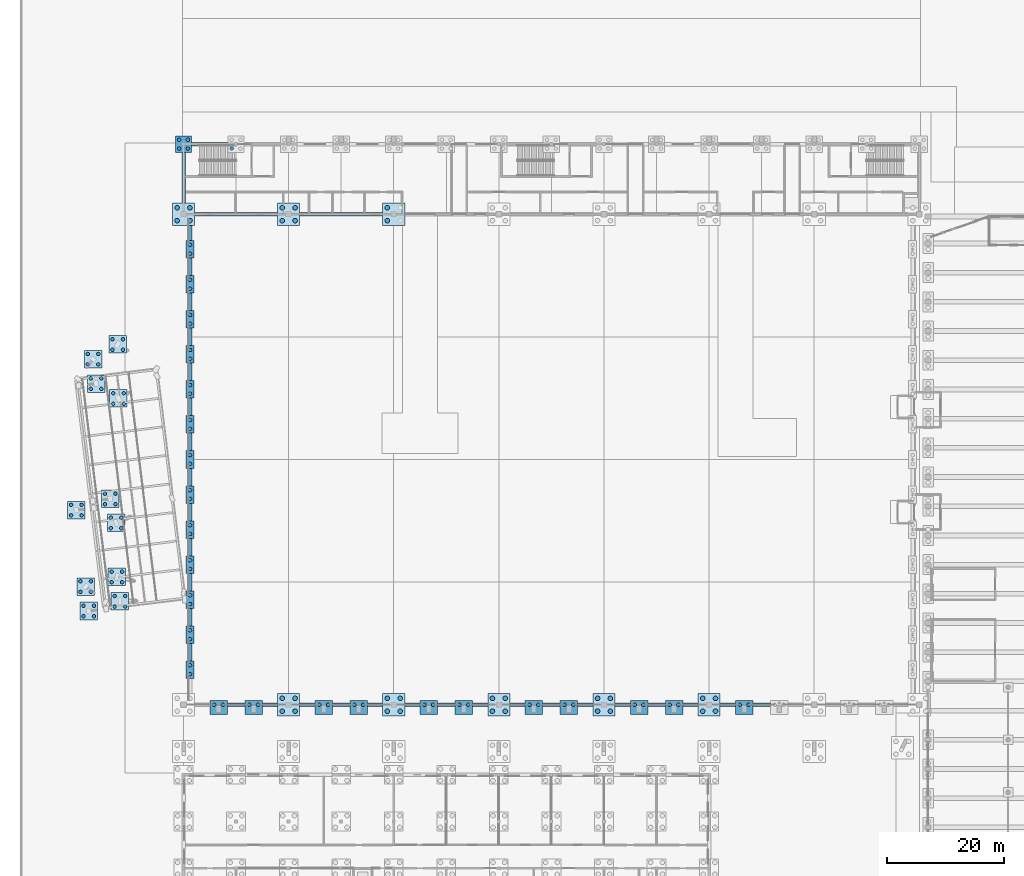
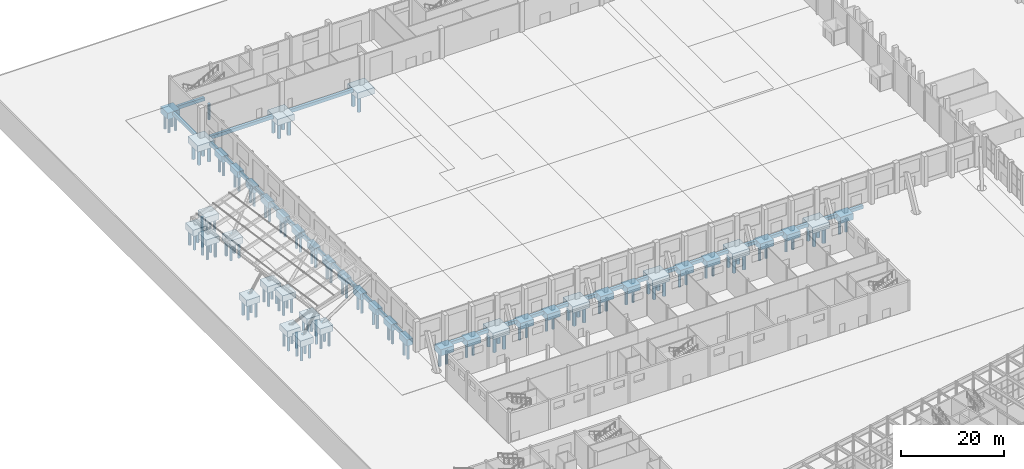
# One storey, part 6 of 239: 127 piles, 77 footings.
"""IFC4 building model written with IfcOpenShell, lengths in metres."""

from ifc_helpers import new_model, si_unit, direction, frame, origin, origin_2d, place, context, subcontext, project, spatial, rectangle, circle, extrude, material, material_profile, profile_set, type_object, element, save


model = new_model("IFC4")

# Units and contexts
model_context = context("Model", 3, precision=1e-05, world=origin(), true_north=direction((0.0, 1.0)))
body_context = subcontext(model_context, "Body", "Model", "MODEL_VIEW")
ifc_project = project(units=[si_unit("LENGTHUNIT", "METRE"), si_unit("AREAUNIT", "SQUARE_METRE"), si_unit("VOLUMEUNIT", "CUBIC_METRE"), si_unit("PLANEANGLEUNIT", "RADIAN"), si_unit("MASSUNIT", "GRAM", prefix="KILO")], contexts=[model_context])

# Site, building, storey
site_placement = place(None, origin())
site = spatial("IfcSite", under=ifc_project, at=site_placement, CompositionType="ELEMENT")
building_placement = place(site_placement, origin())
building = spatial("IfcBuilding", under=site, at=building_placement, Name="Okhra Congress Centre", CompositionType="ELEMENT")
storey_placement = place(building_placement, origin())
storey = spatial("IfcBuildingStorey", under=building, at=storey_placement, Name="L00", CompositionType="ELEMENT", Elevation=0.0)

# Piles
ifc_material_1 = material(Name="Concrete C30/37", Category="concrete")
ifc_material_profile_1 = material_profile(ifc_material_1, circle(Radius=0.300048828125, at=origin_2d()), Name="D600")
ifc_profile_set_1 = profile_set([ifc_material_profile_1], Name="Concrete C30/37")
pile_type_1 = type_object("IfcPileType", Name="Bored pile D600", PredefinedType="BORED", material=ifc_profile_set_1)
for number, where, z_axis, x_axis, name in (
    (1, (33.25, 132.0, -1.800048828125), (0.0, 0.0, -1.0), (1.0, 0.0, 0.0), "EH.PILE.L00.PP1.1"),
    (2, (34.75, 132.0, -1.800048828125), (0.0, 0.0, -1.0), (1.0, 0.0, 0.0), "EH.PILE.L00.PP1.2"),
    (3, (39.25, 132.0, -1.800048828125), (0.0, 0.0, -1.0), (1.0, 0.0, 0.0), "EH.PILE.L00.PP2.1"),
    (4, (40.75, 132.0, -1.800048828125), (0.0, 0.0, -1.0), (1.0, 0.0, 0.0), "EH.PILE.L00.PP2.2"),
    (5, (51.25, 132.0, -1.800048828125), (0.0, 0.0, -1.0), (1.0, 0.0, 0.0), "EH.PILE.L00.PP3.1"),
    (6, (52.75, 132.0, -1.800048828125), (0.0, 0.0, -1.0), (1.0, 0.0, 0.0), "EH.PILE.L00.PP3.2"),
    (7, (57.25, 132.0, -1.800048828125), (0.0, 0.0, -1.0), (1.0, 0.0, 0.0), "EH.PILE.L00.PP4.1"),
    (8, (58.75, 132.0, -1.800048828125), (0.0, 0.0, -1.0), (1.0, 0.0, 0.0), "EH.PILE.L00.PP4.2"),
    (9, (69.25, 132.0, -1.800048828125), (0.0, 0.0, -1.0), (1.0, 0.0, 0.0), "EH.PILE.L00.PP5.1"),
    (10, (70.75, 132.0, -1.800048828125), (0.0, 0.0, -1.0), (1.0, 0.0, 0.0), "EH.PILE.L00.PP5.2"),
    (11, (75.25, 132.0, -1.800048828125), (0.0, 0.0, -1.0), (1.0, 0.0, 0.0), "EH.PILE.L00.PP6.1"),
    (12, (76.75, 132.0, -1.800048828125), (0.0, 0.0, -1.0), (1.0, 0.0, 0.0), "EH.PILE.L00.PP6.2"),
    (13, (87.25, 132.0, -1.800048828125), (0.0, 0.0, -1.0), (1.0, 0.0, 0.0), "EH.PILE.L00.PP7.1"),
    (14, (88.75, 132.0, -1.800048828125), (0.0, 0.0, -1.0), (1.0, 0.0, 0.0), "EH.PILE.L00.PP7.2"),
    (15, (93.25, 132.0, -1.800048828125), (0.0, 0.0, -1.0), (1.0, 0.0, 0.0), "EH.PILE.L00.PP8.1"),
    (16, (94.75, 132.0, -1.800048828125), (0.0, 0.0, -1.0), (1.0, 0.0, 0.0), "EH.PILE.L00.PP8.2"),
    (17, (105.25, 132.0, -1.800048828125), (0.0, 0.0, -1.0), (1.0, 0.0, 0.0), "EH.PILE.L00.PP9.1"),
    (18, (106.75, 132.0, -1.800048828125), (0.0, 0.0, -1.0), (1.0, 0.0, 0.0), "EH.PILE.L00.PP9.2"),
    (19, (111.25, 132.0, -1.800048828125), (0.0, 0.0, -1.0), (1.0, 0.0, 0.0), "EH.PILE.L00.PP10.1"),
    (20, (112.75, 132.0, -1.800048828125), (0.0, 0.0, -1.0), (1.0, 0.0, 0.0), "EH.PILE.L00.PP10.2"),
    (21, (123.25, 132.0, -1.800048828125), (0.0, 0.0, -1.0), (1.0, 0.0, 0.0), "EH.PILE.L00.PP11.1"),
    (22, (124.75, 132.0, -1.800048828125), (0.0, 0.0, -1.0), (1.0, 0.0, 0.0), "EH.PILE.L00.PP11.2"),
    (23, (29.125, 137.25, -1.800048828125), (0.0, 0.0, -1.0), (1.0, 0.0, 0.0), "EH.PILE.L00.PP15.1"),
    (24, (29.125, 138.75, -1.800048828125), (0.0, 0.0, -1.0), (1.0, 0.0, 0.0), "EH.PILE.L00.PP15.2"),
    (25, (29.125, 143.25, -1.800048828125), (0.0, 0.0, -1.0), (1.0, 0.0, 0.0), "EH.PILE.L00.PP17.1"),
    (26, (29.125, 144.75, -1.800048828125), (0.0, 0.0, -1.0), (1.0, 0.0, 0.0), "EH.PILE.L00.PP17.2"),
    (27, (29.125, 149.25, -1.800048828125), (0.0, 0.0, -1.0), (1.0, 0.0, 0.0), "EH.PILE.L00.PP19.1"),
    (28, (29.125, 150.75, -1.800048828125), (0.0, 0.0, -1.0), (1.0, 0.0, 0.0), "EH.PILE.L00.PP19.2"),
    (29, (29.125, 155.25, -1.800048828125), (0.0, 0.0, -1.0), (1.0, 0.0, 0.0), "EH.PILE.L00.PP21.1"),
    (30, (29.125, 156.75, -1.800048828125), (0.0, 0.0, -1.0), (1.0, 0.0, 0.0), "EH.PILE.L00.PP21.2"),
    (31, (29.125, 161.25, -1.800048828125), (0.0, 0.0, -1.0), (1.0, 0.0, 0.0), "EH.PILE.L00.PP23.1"),
    (32, (29.125, 162.75, -1.800048828125), (0.0, 0.0, -1.0), (1.0, 0.0, 0.0), "EH.PILE.L00.PP23.2"),
    (33, (29.125, 167.25, -1.800048828125), (0.0, 0.0, -1.0), (1.0, 0.0, 0.0), "EH.PILE.L00.PP25.1"),
    (34, (29.125, 168.75, -1.800048828125), (0.0, 0.0, -1.0), (1.0, 0.0, 0.0), "EH.PILE.L00.PP25.2"),
    (35, (29.125, 173.25, -1.800048828125), (0.0, 0.0, -1.0), (1.0, 0.0, 0.0), "EH.PILE.L00.PP27.1"),
    (36, (29.125, 174.75, -1.800048828125), (0.0, 0.0, -1.0), (1.0, 0.0, 0.0), "EH.PILE.L00.PP27.2"),
    (37, (29.125, 179.25, -1.800048828125), (0.0, 0.0, -1.0), (1.0, 0.0, 0.0), "EH.PILE.L00.PP29.1"),
    (38, (29.125, 180.75, -1.800048828125), (0.0, 0.0, -1.0), (1.0, 0.0, 0.0), "EH.PILE.L00.PP29.2"),
    (39, (29.125, 185.25, -1.800048828125), (0.0, 0.0, -1.0), (1.0, 0.0, 0.0), "EH.PILE.L00.PP31.1"),
    (40, (29.125, 186.75, -1.800048828125), (0.0, 0.0, -1.0), (1.0, 0.0, 0.0), "EH.PILE.L00.PP31.2"),
    (41, (29.125, 191.25, -1.800048828125), (0.0, 0.0, -1.0), (1.0, 0.0, 0.0), "EH.PILE.L00.PP33.1"),
    (42, (29.125, 192.75, -1.800048828125), (0.0, 0.0, -1.0), (1.0, 0.0, 0.0), "EH.PILE.L00.PP33.2"),
    (43, (29.125, 197.25, -1.800048828125), (0.0, 0.0, -1.0), (1.0, 0.0, 0.0), "EH.PILE.L00.PP35.1"),
    (44, (29.125, 198.75, -1.800048828125), (0.0, 0.0, -1.0), (1.0, 0.0, 0.0), "EH.PILE.L00.PP35.2"),
    (45, (29.125, 203.25, -1.800048828125), (0.0, 0.0, -1.0), (1.0, 0.0, 0.0), "EH.PILE.L00.PP37.1"),
    (46, (29.125, 204.75, -1.800048828125), (0.0, 0.0, -1.0), (1.0, 0.0, 0.0), "EH.PILE.L00.PP37.2"),
    (47, (29.125, 209.25, -1.800048828125), (0.0, 0.0, -1.0), (1.0, 0.0, 0.0), "EH.PILE.L00.PP39.1"),
    (48, (29.125, 210.75, -1.800048828125), (0.0, 0.0, -1.0), (1.0, 0.0, 0.0), "EH.PILE.L00.PP39.2"),
    (49, (27.25, 227.25, -1.800048828125), (0.0, 0.0, -1.0), (1.0, 0.0, 0.0), "EH.PILE.L00.KC1.1"),
    (50, (28.75, 227.25, -1.800048828125), (0.0, 0.0, -1.0), (1.0, 0.0, 0.0), "EH.PILE.L00.KC1.2"),
    (51, (27.25, 228.75, -1.800048828125), (0.0, 0.0, -1.0), (1.0, 0.0, 0.0), "EH.PILE.L00.KC1.3"),
    (52, (28.75, 228.75, -1.800048828125), (0.0, 0.0, -1.0), (1.0, 0.0, 0.0), "EH.PILE.L00.KC1.4"),
    (53, (36.25, 227.25, -1.800048828125), (0.0, 0.0, -1.0), (1.0, 0.0, 0.0), "EH.PILE.L00.KC2.1"),
):
    element("IfcPile", number, at=place(storey_placement, frame(where, z_axis=z_axis, x_axis=x_axis)), inside=storey, type_object=pile_type_1, Name=name, PredefinedType="BORED", context=body_context, shape_type="SweptSolid", body=[
        extrude(circle(Radius=0.300048828125, at=origin_2d()), origin(), (0.0, 0.0, 1.0), 3.699951171875),
    ])
ifc_material_profile_2 = material_profile(ifc_material_1, circle(Radius=0.300048828125, at=origin_2d()), Name="D600")
ifc_profile_set_2 = profile_set([ifc_material_profile_2], Name="Concrete C30/37")
pile_type_2 = type_object("IfcPileType", Name="Bored pile D600 C30/37", PredefinedType="BORED", material=ifc_profile_set_2)
for number, where, z_axis, x_axis, name in (
    (54, (10.862548828125, 147.157958984375, -1.800048828125), (0.0, 0.0, -1.0), (1.0, 0.0, 0.0), "ST.PILE.L00.visor-1-1"),
    (55, (12.66259765625, 147.157958984375, -1.800048828125), (0.0, 0.0, -1.0), (1.0, 0.0, 0.0), "ST.PILE.L00.visor-1-2"),
    (56, (10.862548828125, 148.9580078125, -1.800048828125), (0.0, 0.0, -1.0), (1.0, 0.0, 0.0), "ST.PILE.L00.visor-1-3"),
    (57, (12.66259765625, 148.9580078125, -1.800048828125), (0.0, 0.0, -1.0), (1.0, 0.0, 0.0), "ST.PILE.L00.visor-1-4"),
    (58, (10.350830078125, 151.32666015625, -1.800048828125), (0.0, 0.0, -1.0), (1.0, 0.0, 0.0), "ST.PILE.L00.visor-2-1"),
    (59, (12.15087890625, 151.32666015625, -1.800048828125), (0.0, 0.0, -1.0), (1.0, 0.0, 0.0), "ST.PILE.L00.visor-2-2"),
    (60, (10.350830078125, 153.126708984375, -1.800048828125), (0.0, 0.0, -1.0), (1.0, 0.0, 0.0), "ST.PILE.L00.visor-2-3"),
    (61, (12.15087890625, 153.126708984375, -1.800048828125), (0.0, 0.0, -1.0), (1.0, 0.0, 0.0), "ST.PILE.L00.visor-2-4"),
    (62, (8.7421875, 164.42822265625, -1.800048828125), (0.0, 0.0, -1.0), (1.0, 0.0, 0.0), "ST.PILE.L00.visor-3-1"),
    (63, (10.542236328125, 164.42822265625, -1.800048828125), (0.0, 0.0, -1.0), (1.0, 0.0, 0.0), "ST.PILE.L00.visor-3-2"),
    (64, (8.7421875, 166.228271484375, -1.800048828125), (0.0, 0.0, -1.0), (1.0, 0.0, 0.0), "ST.PILE.L00.visor-3-3"),
    (65, (10.542236328125, 166.228271484375, -1.800048828125), (0.0, 0.0, -1.0), (1.0, 0.0, 0.0), "ST.PILE.L00.visor-3-4"),
    (66, (14.55126953125, 166.3505859375, -1.800048828125), (0.0, 0.0, -1.0), (1.0, 0.0, 0.0), "ST.PILE.L00.visor-4-1"),
    (67, (16.35107421875, 166.3505859375, -1.800048828125), (0.0, 0.0, -1.0), (1.0, 0.0, 0.0), "ST.PILE.L00.visor-4-2"),
    (68, (14.55126953125, 168.150634765625, -1.800048828125), (0.0, 0.0, -1.0), (1.0, 0.0, 0.0), "ST.PILE.L00.visor-4-3"),
    (69, (16.35107421875, 168.150634765625, -1.800048828125), (0.0, 0.0, -1.0), (1.0, 0.0, 0.0), "ST.PILE.L00.visor-4-4"),
    (70, (12.1259765625, 186.102294921875, -1.800048828125), (0.0, 0.0, -1.0), (1.0, 0.0, 0.0), "ST.PILE.L00.visor-5-1"),
    (71, (13.926025390625, 186.102294921875, -1.800048828125), (0.0, 0.0, -1.0), (1.0, 0.0, 0.0), "ST.PILE.L00.visor-5-2"),
    (72, (12.1259765625, 187.902099609375, -1.800048828125), (0.0, 0.0, -1.0), (1.0, 0.0, 0.0), "ST.PILE.L00.visor-5-3"),
    (73, (13.926025390625, 187.902099609375, -1.800048828125), (0.0, 0.0, -1.0), (1.0, 0.0, 0.0), "ST.PILE.L00.visor-5-4"),
    (74, (11.614013671875, 190.27099609375, -1.800048828125), (0.0, 0.0, -1.0), (1.0, 0.0, 0.0), "ST.PILE.L00.visor-6-1"),
    (75, (13.4140625, 190.27099609375, -1.800048828125), (0.0, 0.0, -1.0), (1.0, 0.0, 0.0), "ST.PILE.L00.visor-6-2"),
    (76, (11.614013671875, 192.07080078125, -1.800048828125), (0.0, 0.0, -1.0), (1.0, 0.0, 0.0), "ST.PILE.L00.visor-6-3"),
    (77, (13.4140625, 192.07080078125, -1.800048828125), (0.0, 0.0, -1.0), (1.0, 0.0, 0.0), "ST.PILE.L00.visor-6-4"),
    (78, (16.19970703125, 148.82080078125, -1.800048828125), (0.0, 0.0, -1.0), (1.0, 0.0, 0.0), "ST.PILE.L00.visor-7-1"),
    (79, (17.999755859375, 148.82080078125, -1.800048828125), (0.0, 0.0, -1.0), (1.0, 0.0, 0.0), "ST.PILE.L00.visor-7-2"),
    (80, (16.19970703125, 150.620849609375, -1.800048828125), (0.0, 0.0, -1.0), (1.0, 0.0, 0.0), "ST.PILE.L00.visor-7-3"),
    (81, (17.999755859375, 150.620849609375, -1.800048828125), (0.0, 0.0, -1.0), (1.0, 0.0, 0.0), "ST.PILE.L00.visor-7-4"),
    (82, (15.68798828125, 152.989501953125, -1.800048828125), (0.0, 0.0, -1.0), (1.0, 0.0, 0.0), "ST.PILE.L00.visor-8-1"),
    (83, (17.488037109375, 152.989501953125, -1.800048828125), (0.0, 0.0, -1.0), (1.0, 0.0, 0.0), "ST.PILE.L00.visor-8-2"),
    (84, (15.68798828125, 154.78955078125, -1.800048828125), (0.0, 0.0, -1.0), (1.0, 0.0, 0.0), "ST.PILE.L00.visor-8-3"),
    (85, (17.488037109375, 154.78955078125, -1.800048828125), (0.0, 0.0, -1.0), (1.0, 0.0, 0.0), "ST.PILE.L00.visor-8-4"),
    (86, (15.559326171875, 162.24267578125, -1.800048828125), (0.0, 0.0, -1.0), (1.0, 0.0, 0.0), "ST.PILE.L00.visor-9-1"),
    (87, (17.359375, 162.24267578125, -1.800048828125), (0.0, 0.0, -1.0), (1.0, 0.0, 0.0), "ST.PILE.L00.visor-9-2"),
    (88, (15.559326171875, 164.042724609375, -1.800048828125), (0.0, 0.0, -1.0), (1.0, 0.0, 0.0), "ST.PILE.L00.visor-9-3"),
    (89, (17.359375, 164.042724609375, -1.800048828125), (0.0, 0.0, -1.0), (1.0, 0.0, 0.0), "ST.PILE.L00.visor-9-4"),
    (90, (15.965576171875, 183.551025390625, -1.800048828125), (0.0, 0.0, -1.0), (1.0, 0.0, 0.0), "ST.PILE.L00.visor-10-1"),
    (91, (17.765380859375, 183.551025390625, -1.800048828125), (0.0, 0.0, -1.0), (1.0, 0.0, 0.0), "ST.PILE.L00.visor-10-2"),
    (92, (15.965576171875, 185.35107421875, -1.800048828125), (0.0, 0.0, -1.0), (1.0, 0.0, 0.0), "ST.PILE.L00.visor-10-3"),
    (93, (17.765380859375, 185.35107421875, -1.800048828125), (0.0, 0.0, -1.0), (1.0, 0.0, 0.0), "ST.PILE.L00.visor-10-4"),
    (94, (15.8369140625, 192.804443359375, -1.800048828125), (0.0, 0.0, -1.0), (1.0, 0.0, 0.0), "ST.PILE.L00.visor-11-1"),
    (95, (17.63671875, 192.804443359375, -1.800048828125), (0.0, 0.0, -1.0), (1.0, 0.0, 0.0), "ST.PILE.L00.visor-11-2"),
    (96, (15.8369140625, 194.6044921875, -1.800048828125), (0.0, 0.0, -1.0), (1.0, 0.0, 0.0), "ST.PILE.L00.visor-11-3"),
    (97, (17.63671875, 194.6044921875, -1.800048828125), (0.0, 0.0, -1.0), (1.0, 0.0, 0.0), "ST.PILE.L00.visor-11-4"),
):
    element("IfcPile", number, at=place(storey_placement, frame(where, z_axis=z_axis, x_axis=x_axis)), inside=storey, type_object=pile_type_2, Name=name, PredefinedType="BORED", context=body_context, shape_type="SweptSolid", body=[
        extrude(circle(Radius=0.300048828125, at=origin_2d()), origin(), (0.0, 0.0, 1.0), 3.699951171875),
    ])
ifc_material_profile_3 = material_profile(ifc_material_1, circle(Radius=0.39990234375, at=origin_2d()), Name="D800")
ifc_profile_set_3 = profile_set([ifc_material_profile_3], Name="Concrete C30/37")
pile_type_3 = type_object("IfcPileType", Name="Bored pile D800", PredefinedType="BORED", material=ifc_profile_set_3)
for number, where, z_axis, x_axis, name in (
    (98, (26.89990234375, 214.89990234375, -1.800048828125), (0.0, 0.0, -1.0), (1.0, 0.0, 0.0), "EH.PILE.L00.SC2.1"),
    (99, (29.10009765625, 214.89990234375, -1.800048828125), (0.0, 0.0, -1.0), (1.0, 0.0, 0.0), "EH.PILE.L00.SC2.2"),
    (100, (26.89990234375, 217.10009765625, -1.800048828125), (0.0, 0.0, -1.0), (1.0, 0.0, 0.0), "EH.PILE.L00.SC2.3"),
    (101, (29.10009765625, 217.10009765625, -1.800048828125), (0.0, 0.0, -1.0), (1.0, 0.0, 0.0), "EH.PILE.L00.SC2.4"),
    (102, (44.89990234375, 130.89990234375, -1.800048828125), (0.0, 0.0, -1.0), (1.0, 0.0, 0.0), "EH.PILE.L00.SC3.1"),
    (103, (47.10009765625, 130.89990234375, -1.800048828125), (0.0, 0.0, -1.0), (1.0, 0.0, 0.0), "EH.PILE.L00.SC3.2"),
    (104, (44.89990234375, 133.10009765625, -1.800048828125), (0.0, 0.0, -1.0), (1.0, 0.0, 0.0), "EH.PILE.L00.SC3.3"),
    (105, (47.10009765625, 133.10009765625, -1.800048828125), (0.0, 0.0, -1.0), (1.0, 0.0, 0.0), "EH.PILE.L00.SC3.4"),
    (106, (44.89990234375, 214.89990234375, -1.800048828125), (0.0, 0.0, -1.0), (1.0, 0.0, 0.0), "EH.PILE.L00.SC4.1"),
    (107, (47.10009765625, 214.89990234375, -1.800048828125), (0.0, 0.0, -1.0), (1.0, 0.0, 0.0), "EH.PILE.L00.SC4.2"),
    (108, (44.89990234375, 217.10009765625, -1.800048828125), (0.0, 0.0, -1.0), (1.0, 0.0, 0.0), "EH.PILE.L00.SC4.3"),
    (109, (47.10009765625, 217.10009765625, -1.800048828125), (0.0, 0.0, -1.0), (1.0, 0.0, 0.0), "EH.PILE.L00.SC4.4"),
    (110, (62.89990234375, 130.89990234375, -1.800048828125), (0.0, 0.0, -1.0), (1.0, 0.0, 0.0), "EH.PILE.L00.SC5.1"),
    (111, (65.10009765625, 130.89990234375, -1.800048828125), (0.0, 0.0, -1.0), (1.0, 0.0, 0.0), "EH.PILE.L00.SC5.2"),
    (112, (62.89990234375, 133.10009765625, -1.800048828125), (0.0, 0.0, -1.0), (1.0, 0.0, 0.0), "EH.PILE.L00.SC5.3"),
    (113, (65.10009765625, 133.10009765625, -1.800048828125), (0.0, 0.0, -1.0), (1.0, 0.0, 0.0), "EH.PILE.L00.SC5.4"),
    (114, (62.89990234375, 214.89990234375, -1.800048828125), (0.0, 0.0, -1.0), (1.0, 0.0, 0.0), "EH.PILE.L00.SC6.1"),
    (115, (62.89990234375, 217.10009765625, -1.800048828125), (0.0, 0.0, -1.0), (1.0, 0.0, 0.0), "EH.PILE.L00.SC6.3"),
    (116, (80.89990234375, 130.89990234375, -1.800048828125), (0.0, 0.0, -1.0), (1.0, 0.0, 0.0), "EH.PILE.L00.SC7.1"),
    (117, (83.10009765625, 130.89990234375, -1.800048828125), (0.0, 0.0, -1.0), (1.0, 0.0, 0.0), "EH.PILE.L00.SC7.2"),
    (118, (80.89990234375, 133.10009765625, -1.800048828125), (0.0, 0.0, -1.0), (1.0, 0.0, 0.0), "EH.PILE.L00.SC7.3"),
    (119, (83.10009765625, 133.10009765625, -1.800048828125), (0.0, 0.0, -1.0), (1.0, 0.0, 0.0), "EH.PILE.L00.SC7.4"),
    (120, (98.89990234375, 130.89990234375, -1.800048828125), (0.0, 0.0, -1.0), (1.0, 0.0, 0.0), "EH.PILE.L00.SC9.1"),
    (121, (101.10009765625, 130.89990234375, -1.800048828125), (0.0, 0.0, -1.0), (1.0, 0.0, 0.0), "EH.PILE.L00.SC9.2"),
    (122, (98.89990234375, 133.10009765625, -1.800048828125), (0.0, 0.0, -1.0), (1.0, 0.0, 0.0), "EH.PILE.L00.SC9.3"),
    (123, (101.10009765625, 133.10009765625, -1.800048828125), (0.0, 0.0, -1.0), (1.0, 0.0, 0.0), "EH.PILE.L00.SC9.4"),
    (124, (116.89990234375, 130.89990234375, -1.800048828125), (0.0, 0.0, -1.0), (1.0, 0.0, 0.0), "EH.PILE.L00.SC11.1"),
    (125, (119.10009765625, 130.89990234375, -1.800048828125), (0.0, 0.0, -1.0), (1.0, 0.0, 0.0), "EH.PILE.L00.SC11.2"),
    (126, (116.89990234375, 133.10009765625, -1.800048828125), (0.0, 0.0, -1.0), (1.0, 0.0, 0.0), "EH.PILE.L00.SC11.3"),
    (127, (119.10009765625, 133.10009765625, -1.800048828125), (0.0, 0.0, -1.0), (1.0, 0.0, 0.0), "EH.PILE.L00.SC11.4"),
):
    element("IfcPile", number, at=place(storey_placement, frame(where, z_axis=z_axis, x_axis=x_axis)), inside=storey, type_object=pile_type_3, Name=name, PredefinedType="BORED", context=body_context, shape_type="SweptSolid", body=[
        extrude(circle(Radius=0.39990234375, at=origin_2d()), origin(), (0.0, 0.0, 1.0), 3.699951171875),
    ])

# Footings
footing_type_1 = type_object("IfcFootingType", Name="Ground beam 600x800 C30/37", PredefinedType="FOOTING_BEAM", material=ifc_material_1)
footing_1_placement = place(storey_placement, frame((37.0, 132.0, -1.2001953125), z_axis=(0.0, 0.0, 1.0), x_axis=(1.0, 0.0, 0.0)))
element("IfcFooting", 128, at=footing_1_placement, inside=storey, type_object=footing_type_1, Name="EH.FTG.L00.GB2", PredefinedType="FOOTING_BEAM", context=body_context, shape_type="SweptSolid", body=[
    extrude(rectangle(XDim=3.0, YDim=0.60009765625, at=origin_2d()), origin(), (0.0, 0.0, 1.0), 0.800048828125),
])
for number, where, z_axis, x_axis, name in (
    (129, (42.800048828125, 132.0, -1.2001953125), (0.0, 0.0, 1.0), (1.0, 0.0, 0.0), "EH.FTG.L00.GB3"),
    (130, (49.199951171875, 132.0, -1.2001953125), (0.0, 0.0, 1.0), (1.0, 0.0, 0.0), "EH.FTG.L00.GB4"),
):
    element("IfcFooting", number, at=place(storey_placement, frame(where, z_axis=z_axis, x_axis=x_axis)), inside=storey, type_object=footing_type_1, Name=name, PredefinedType="FOOTING_BEAM", context=body_context, shape_type="SweptSolid", body=[
        extrude(rectangle(XDim=2.60009765625, YDim=0.60009765625, at=origin_2d()), origin(), (0.0, 0.0, 1.0), 0.800048828125),
    ])
footing_2_placement = place(storey_placement, frame((55.0, 132.0, -1.2001953125), z_axis=(0.0, 0.0, 1.0), x_axis=(1.0, 0.0, 0.0)))
element("IfcFooting", 131, at=footing_2_placement, inside=storey, type_object=footing_type_1, Name="EH.FTG.L00.GB5", PredefinedType="FOOTING_BEAM", context=body_context, shape_type="SweptSolid", body=[
    extrude(rectangle(XDim=3.0, YDim=0.60009765625, at=origin_2d()), origin(), (0.0, 0.0, 1.0), 0.800048828125),
])
for number, where, z_axis, x_axis, name in (
    (132, (60.800048828125, 132.0, -1.2001953125), (0.0, 0.0, 1.0), (1.0, 0.0, 0.0), "EH.FTG.L00.GB6"),
    (133, (67.199951171875, 132.0, -1.2001953125), (0.0, 0.0, 1.0), (1.0, 0.0, 0.0), "EH.FTG.L00.GB7"),
):
    element("IfcFooting", number, at=place(storey_placement, frame(where, z_axis=z_axis, x_axis=x_axis)), inside=storey, type_object=footing_type_1, Name=name, PredefinedType="FOOTING_BEAM", context=body_context, shape_type="SweptSolid", body=[
        extrude(rectangle(XDim=2.60009765625, YDim=0.60009765625, at=origin_2d()), origin(), (0.0, 0.0, 1.0), 0.800048828125),
    ])
footing_3_placement = place(storey_placement, frame((73.0, 132.0, -1.2001953125), z_axis=(0.0, 0.0, 1.0), x_axis=(1.0, 0.0, 0.0)))
element("IfcFooting", 134, at=footing_3_placement, inside=storey, type_object=footing_type_1, Name="EH.FTG.L00.GB8", PredefinedType="FOOTING_BEAM", context=body_context, shape_type="SweptSolid", body=[
    extrude(rectangle(XDim=3.0, YDim=0.60009765625, at=origin_2d()), origin(), (0.0, 0.0, 1.0), 0.800048828125),
])
for number, where, z_axis, x_axis, name in (
    (135, (78.800048828125, 132.0, -1.2001953125), (0.0, 0.0, 1.0), (1.0, 0.0, 0.0), "EH.FTG.L00.GB9"),
    (136, (85.199951171875, 132.0, -1.2001953125), (0.0, 0.0, 1.0), (1.0, 0.0, 0.0), "EH.FTG.L00.GB10"),
):
    element("IfcFooting", number, at=place(storey_placement, frame(where, z_axis=z_axis, x_axis=x_axis)), inside=storey, type_object=footing_type_1, Name=name, PredefinedType="FOOTING_BEAM", context=body_context, shape_type="SweptSolid", body=[
        extrude(rectangle(XDim=2.60009765625, YDim=0.60009765625, at=origin_2d()), origin(), (0.0, 0.0, 1.0), 0.800048828125),
    ])
footing_4_placement = place(storey_placement, frame((91.0, 132.0, -1.2001953125), z_axis=(0.0, 0.0, 1.0), x_axis=(1.0, 0.0, 0.0)))
element("IfcFooting", 137, at=footing_4_placement, inside=storey, type_object=footing_type_1, Name="EH.FTG.L00.GB11", PredefinedType="FOOTING_BEAM", context=body_context, shape_type="SweptSolid", body=[
    extrude(rectangle(XDim=3.0, YDim=0.60009765625, at=origin_2d()), origin(), (0.0, 0.0, 1.0), 0.800048828125),
])
for number, where, z_axis, x_axis, name in (
    (138, (96.800048828125, 132.0, -1.2001953125), (0.0, 0.0, 1.0), (1.0, 0.0, 0.0), "EH.FTG.L00.GB12"),
    (139, (103.199951171875, 132.0, -1.2001953125), (0.0, 0.0, 1.0), (1.0, 0.0, 0.0), "EH.FTG.L00.GB13"),
):
    element("IfcFooting", number, at=place(storey_placement, frame(where, z_axis=z_axis, x_axis=x_axis)), inside=storey, type_object=footing_type_1, Name=name, PredefinedType="FOOTING_BEAM", context=body_context, shape_type="SweptSolid", body=[
        extrude(rectangle(XDim=2.60009765625, YDim=0.60009765625, at=origin_2d()), origin(), (0.0, 0.0, 1.0), 0.800048828125),
    ])
footing_5_placement = place(storey_placement, frame((109.0, 132.0, -1.2001953125), z_axis=(0.0, 0.0, 1.0), x_axis=(1.0, 0.0, 0.0)))
element("IfcFooting", 140, at=footing_5_placement, inside=storey, type_object=footing_type_1, Name="EH.FTG.L00.GB14", PredefinedType="FOOTING_BEAM", context=body_context, shape_type="SweptSolid", body=[
    extrude(rectangle(XDim=3.0, YDim=0.60009765625, at=origin_2d()), origin(), (0.0, 0.0, 1.0), 0.800048828125),
])
for number, where, z_axis, x_axis, name in (
    (141, (114.800048828125, 132.0, -1.2001953125), (0.0, 0.0, 1.0), (1.0, 0.0, 0.0), "EH.FTG.L00.GB15"),
    (142, (121.199951171875, 132.0, -1.2001953125), (0.0, 0.0, 1.0), (1.0, 0.0, 0.0), "EH.FTG.L00.GB16"),
):
    element("IfcFooting", number, at=place(storey_placement, frame(where, z_axis=z_axis, x_axis=x_axis)), inside=storey, type_object=footing_type_1, Name=name, PredefinedType="FOOTING_BEAM", context=body_context, shape_type="SweptSolid", body=[
        extrude(rectangle(XDim=2.60009765625, YDim=0.60009765625, at=origin_2d()), origin(), (0.0, 0.0, 1.0), 0.800048828125),
    ])
footing_6_placement = place(storey_placement, frame((127.0, 132.0, -1.2001953125), z_axis=(0.0, 0.0, 1.0), x_axis=(1.0, 0.0, 0.0)))
element("IfcFooting", 143, at=footing_6_placement, inside=storey, type_object=footing_type_1, Name="EH.FTG.L00.GB17", PredefinedType="FOOTING_BEAM", context=body_context, shape_type="SweptSolid", body=[
    extrude(rectangle(XDim=3.0, YDim=0.60009765625, at=origin_2d()), origin(), (0.0, 0.0, 1.0), 0.800048828125),
])
for number, where, z_axis, x_axis, name in (
    (144, (37.0, 216.0, -1.2001953125), (0.0, 0.0, 1.0), (1.0, 0.0, 0.0), "EH.FTG.L00.GB22"),
    (145, (55.0, 216.0, -1.2001953125), (0.0, 0.0, 1.0), (1.0, 0.0, 0.0), "EH.FTG.L00.GB23"),
):
    element("IfcFooting", number, at=place(storey_placement, frame(where, z_axis=z_axis, x_axis=x_axis)), inside=storey, type_object=footing_type_1, Name=name, PredefinedType="FOOTING_BEAM", context=body_context, shape_type="SweptSolid", body=[
        extrude(rectangle(XDim=14.199951171875, YDim=0.60009765625, at=origin_2d()), origin(), (0.0, 0.0, 1.0), 0.800048828125),
    ])
for number, where, z_axis, x_axis, name in (
    (146, (29.125, 141.0, -1.2001953125), (0.0, 0.0, 1.0), (0.0, 1.0, 0.0), "EH.FTG.L00.GB30"),
    (147, (29.125, 147.0, -1.2001953125), (0.0, 0.0, 1.0), (0.0, 1.0, 0.0), "EH.FTG.L00.GB31"),
    (148, (29.125, 153.0, -1.2001953125), (0.0, 0.0, 1.0), (0.0, 1.0, 0.0), "EH.FTG.L00.GB32"),
    (149, (29.125, 159.0, -1.2001953125), (0.0, 0.0, 1.0), (0.0, 1.0, 0.0), "EH.FTG.L00.GB33"),
    (150, (29.125, 165.0, -1.2001953125), (0.0, 0.0, 1.0), (0.0, 1.0, 0.0), "EH.FTG.L00.GB34"),
    (151, (29.125, 171.0, -1.2001953125), (0.0, 0.0, 1.0), (0.0, 1.0, 0.0), "EH.FTG.L00.GB35"),
    (152, (29.125, 177.0, -1.2001953125), (0.0, 0.0, 1.0), (0.0, 1.0, 0.0), "EH.FTG.L00.GB36"),
    (153, (29.125, 183.0, -1.2001953125), (0.0, 0.0, 1.0), (0.0, 1.0, 0.0), "EH.FTG.L00.GB37"),
    (154, (29.125, 189.0, -1.2001953125), (0.0, 0.0, 1.0), (0.0, 1.0, 0.0), "EH.FTG.L00.GB38"),
    (155, (29.125, 195.0, -1.2001953125), (0.0, 0.0, 1.0), (0.0, 1.0, 0.0), "EH.FTG.L00.GB39"),
    (156, (29.125, 201.0, -1.2001953125), (0.0, 0.0, 1.0), (0.0, 1.0, 0.0), "EH.FTG.L00.GB40"),
    (157, (29.125, 207.0, -1.2001953125), (0.0, 0.0, 1.0), (0.0, 1.0, 0.0), "EH.FTG.L00.GB41"),
):
    element("IfcFooting", number, at=place(storey_placement, frame(where, z_axis=z_axis, x_axis=x_axis)), inside=storey, type_object=footing_type_1, Name=name, PredefinedType="FOOTING_BEAM", context=body_context, shape_type="SweptSolid", body=[
        extrude(rectangle(XDim=3.0, YDim=0.60009765625, at=origin_2d()), origin(), (0.0, 0.0, 1.0), 0.800048828125),
    ])
footing_7_placement = place(storey_placement, frame((29.125, 212.800048828125, -1.2001953125), z_axis=(0.0, 0.0, 1.0), x_axis=(0.0, 1.0, 0.0)))
element("IfcFooting", 158, at=footing_7_placement, inside=storey, type_object=footing_type_1, Name="EH.FTG.L00.GB42", PredefinedType="FOOTING_BEAM", context=body_context, shape_type="SweptSolid", body=[
    extrude(rectangle(XDim=2.60009765625, YDim=0.60009765625, at=origin_2d()), origin(), (0.0, 0.0, 1.0), 0.800048828125),
])
footing_8_placement = place(storey_placement, frame((32.5, 228.0, -1.2001953125), z_axis=(0.0, 0.0, 1.0), x_axis=(1.0, 0.0, 0.0)))
element("IfcFooting", 159, at=footing_8_placement, inside=storey, type_object=footing_type_1, Name="EH.FTG.L00.GB57", PredefinedType="FOOTING_BEAM", context=body_context, shape_type="SweptSolid", body=[
    extrude(rectangle(XDim=6.199951171875, YDim=0.60009765625, at=origin_2d()), origin(), (0.0, 0.0, 1.0), 0.800048828125),
])
footing_9_placement = place(storey_placement, frame((28.0, 222.25, -1.2001953125), z_axis=(0.0, 0.0, 1.0), x_axis=(0.0, 1.0, 0.0)))
element("IfcFooting", 160, at=footing_9_placement, inside=storey, type_object=footing_type_1, Name="EH.FTG.L00.GB71", PredefinedType="FOOTING_BEAM", context=body_context, shape_type="SweptSolid", body=[
    extrude(rectangle(XDim=8.699951171875, YDim=0.60009765625, at=origin_2d()), origin(), (0.0, 0.0, 1.0), 0.800048828125),
])
footing_type_2 = type_object("IfcFootingType", Name="Pile cap 2800x2800x1500 C30/37", PredefinedType="PILE_CAP", material=ifc_material_1)
footing_10_placement = place(storey_placement, frame((28.0, 228.0, -1.89990234375), z_axis=(0.0, 0.0, 1.0), x_axis=(1.0, 0.0, 0.0)))
element("IfcFooting", 161, at=footing_10_placement, inside=storey, type_object=footing_type_2, Name="EH.FTG.L00.KC1", PredefinedType="PILE_CAP", context=body_context, shape_type="SweptSolid", body=[
    extrude(rectangle(XDim=2.800048828125, YDim=2.800048828125, at=origin_2d()), origin(), (0.0, 0.0, 1.0), 1.5),
])
footing_type_3 = type_object("IfcFootingType", Name="Pile cap 3000x1400x1500 C30/37", PredefinedType="PILE_CAP", material=ifc_material_1)
for number, where, z_axis, x_axis, name in (
    (162, (29.125, 138.0, -1.89990234375), (0.0, 0.0, 1.0), (0.0, 1.0, 0.0), "EH.FTG.L00.PP15"),
    (163, (29.125, 144.0, -1.89990234375), (0.0, 0.0, 1.0), (0.0, 1.0, 0.0), "EH.FTG.L00.PP17"),
    (164, (29.125, 150.0, -1.89990234375), (0.0, 0.0, 1.0), (0.0, 1.0, 0.0), "EH.FTG.L00.PP19"),
    (165, (29.125, 156.0, -1.89990234375), (0.0, 0.0, 1.0), (0.0, 1.0, 0.0), "EH.FTG.L00.PP21"),
    (166, (29.125, 162.0, -1.89990234375), (0.0, 0.0, 1.0), (0.0, 1.0, 0.0), "EH.FTG.L00.PP23"),
    (167, (29.125, 168.0, -1.89990234375), (0.0, 0.0, 1.0), (0.0, 1.0, 0.0), "EH.FTG.L00.PP25"),
    (168, (29.125, 174.0, -1.89990234375), (0.0, 0.0, 1.0), (0.0, 1.0, 0.0), "EH.FTG.L00.PP27"),
    (169, (29.125, 180.0, -1.89990234375), (0.0, 0.0, 1.0), (0.0, 1.0, 0.0), "EH.FTG.L00.PP29"),
    (170, (29.125, 186.0, -1.89990234375), (0.0, 0.0, 1.0), (0.0, 1.0, 0.0), "EH.FTG.L00.PP31"),
    (171, (29.125, 192.0, -1.89990234375), (0.0, 0.0, 1.0), (0.0, 1.0, 0.0), "EH.FTG.L00.PP33"),
    (172, (29.125, 198.0, -1.89990234375), (0.0, 0.0, 1.0), (0.0, 1.0, 0.0), "EH.FTG.L00.PP35"),
    (173, (29.125, 204.0, -1.89990234375), (0.0, 0.0, 1.0), (0.0, 1.0, 0.0), "EH.FTG.L00.PP37"),
    (174, (29.125, 210.0, -1.89990234375), (0.0, 0.0, 1.0), (0.0, 1.0, 0.0), "EH.FTG.L00.PP39"),
):
    element("IfcFooting", number, at=place(storey_placement, frame(where, z_axis=z_axis, x_axis=x_axis)), inside=storey, type_object=footing_type_3, Name=name, PredefinedType="PILE_CAP", context=body_context, shape_type="SweptSolid", body=[
        extrude(rectangle(XDim=3.0, YDim=1.39990234375, at=origin_2d()), origin(), (0.0, 0.0, 1.0), 1.5),
    ])
footing_type_4 = type_object("IfcFootingType", Name="Pile cap 3000x2400x1500 C30/37", PredefinedType="PILE_CAP", material=ifc_material_1)
for number, where, z_axis, x_axis, name in (
    (175, (34.0, 131.5, -1.89990234375), (0.0, 0.0, 1.0), (1.0, 0.0, 0.0), "EH.FTG.L00.PP1"),
    (176, (40.0, 131.5, -1.89990234375), (0.0, 0.0, 1.0), (1.0, 0.0, 0.0), "EH.FTG.L00.PP2"),
    (177, (52.0, 131.5, -1.89990234375), (0.0, 0.0, 1.0), (1.0, 0.0, 0.0), "EH.FTG.L00.PP3"),
    (178, (58.0, 131.5, -1.89990234375), (0.0, 0.0, 1.0), (1.0, 0.0, 0.0), "EH.FTG.L00.PP4"),
    (179, (70.0, 131.5, -1.89990234375), (0.0, 0.0, 1.0), (1.0, 0.0, 0.0), "EH.FTG.L00.PP5"),
    (180, (76.0, 131.5, -1.89990234375), (0.0, 0.0, 1.0), (1.0, 0.0, 0.0), "EH.FTG.L00.PP6"),
    (181, (88.0, 131.5, -1.89990234375), (0.0, 0.0, 1.0), (1.0, 0.0, 0.0), "EH.FTG.L00.PP7"),
    (182, (94.0, 131.5, -1.89990234375), (0.0, 0.0, 1.0), (1.0, 0.0, 0.0), "EH.FTG.L00.PP8"),
    (183, (106.0, 131.5, -1.89990234375), (0.0, 0.0, 1.0), (1.0, 0.0, 0.0), "EH.FTG.L00.PP9"),
    (184, (112.0, 131.5, -1.89990234375), (0.0, 0.0, 1.0), (1.0, 0.0, 0.0), "EH.FTG.L00.PP10"),
    (185, (124.0, 131.5, -1.89990234375), (0.0, 0.0, 1.0), (1.0, 0.0, 0.0), "EH.FTG.L00.PP11"),
):
    element("IfcFooting", number, at=place(storey_placement, frame(where, z_axis=z_axis, x_axis=x_axis)), inside=storey, type_object=footing_type_4, Name=name, PredefinedType="PILE_CAP", context=body_context, shape_type="SweptSolid", body=[
        extrude(rectangle(XDim=3.0, YDim=2.39990234375, at=origin_2d()), origin(), (0.0, 0.0, 1.0), 1.5),
    ])
ifc_material_2 = material(Name="Concrete C35/45", Category="concrete")
footing_type_5 = type_object("IfcFootingType", Name="Pile cap 3000x3000x1500 C35/45", PredefinedType="PILE_CAP", material=ifc_material_2)
for number, where, z_axis, x_axis, name in (
    (186, (11.7626953125, 148.057861328125, -1.89990234375), (0.0, 0.0, 1.0), (1.0, 0.0, 0.0), "ST.FTG.L00.visor-cap-1"),
    (187, (11.250732421875, 152.2265625, -1.89990234375), (0.0, 0.0, 1.0), (1.0, 0.0, 0.0), "ST.FTG.L00.visor-cap-2"),
    (188, (9.64208984375, 165.328125, -1.89990234375), (0.0, 0.0, 1.0), (1.0, 0.0, 0.0), "ST.FTG.L00.visor-cap-3"),
    (189, (15.451171875, 167.25048828125, -1.89990234375), (0.0, 0.0, 1.0), (1.0, 0.0, 0.0), "ST.FTG.L00.visor-cap-4"),
    (190, (13.02587890625, 187.002197265625, -1.89990234375), (0.0, 0.0, 1.0), (1.0, 0.0, 0.0), "ST.FTG.L00.visor-cap-5"),
    (191, (12.51416015625, 191.1708984375, -1.89990234375), (0.0, 0.0, 1.0), (1.0, 0.0, 0.0), "ST.FTG.L00.visor-cap-6"),
    (192, (17.099853515625, 149.720703125, -1.89990234375), (0.0, 0.0, 1.0), (1.0, 0.0, 0.0), "ST.FTG.L00.visor-cap-7"),
    (193, (16.587890625, 153.889404296875, -1.89990234375), (0.0, 0.0, 1.0), (1.0, 0.0, 0.0), "ST.FTG.L00.visor-cap-8"),
    (194, (16.459228515625, 163.142822265625, -1.89990234375), (0.0, 0.0, 1.0), (1.0, 0.0, 0.0), "ST.FTG.L00.visor-cap-9"),
    (195, (16.865478515625, 184.451171875, -1.89990234375), (0.0, 0.0, 1.0), (1.0, 0.0, 0.0), "ST.FTG.L00.visor-cap-10"),
    (196, (16.73681640625, 193.704345703125, -1.89990234375), (0.0, 0.0, 1.0), (1.0, 0.0, 0.0), "ST.FTG.L00.visor-cap-11"),
):
    element("IfcFooting", number, at=place(storey_placement, frame(where, z_axis=z_axis, x_axis=x_axis)), inside=storey, type_object=footing_type_5, Name=name, PredefinedType="PILE_CAP", context=body_context, shape_type="SweptSolid", body=[
        extrude(rectangle(XDim=3.0, YDim=3.0, at=origin_2d()), origin(), (0.0, 0.0, 1.0), 1.5),
    ])
footing_type_6 = type_object("IfcFootingType", Name="Pile cap 3800x3800x1500 C30/37", PredefinedType="PILE_CAP", material=ifc_material_1)
for number, where, z_axis, x_axis, name in (
    (197, (28.0, 216.0, -1.89990234375), (0.0, 0.0, 1.0), (1.0, 0.0, 0.0), "EH.FTG.L00.SC2"),
    (198, (46.0, 132.0, -1.89990234375), (0.0, 0.0, 1.0), (1.0, 0.0, 0.0), "EH.FTG.L00.SC3"),
    (199, (46.0, 216.0, -1.89990234375), (0.0, 0.0, 1.0), (1.0, 0.0, 0.0), "EH.FTG.L00.SC4"),
    (200, (64.0, 132.0, -1.89990234375), (0.0, 0.0, 1.0), (1.0, 0.0, 0.0), "EH.FTG.L00.SC5"),
    (201, (64.0, 216.0, -1.89990234375), (0.0, 0.0, 1.0), (1.0, 0.0, 0.0), "EH.FTG.L00.SC6"),
    (202, (82.0, 132.0, -1.89990234375), (0.0, 0.0, 1.0), (1.0, 0.0, 0.0), "EH.FTG.L00.SC7"),
    (203, (100.0, 132.0, -1.89990234375), (0.0, 0.0, 1.0), (1.0, 0.0, 0.0), "EH.FTG.L00.SC9"),
    (204, (118.0, 132.0, -1.89990234375), (0.0, 0.0, 1.0), (1.0, 0.0, 0.0), "EH.FTG.L00.SC11"),
):
    element("IfcFooting", number, at=place(storey_placement, frame(where, z_axis=z_axis, x_axis=x_axis)), inside=storey, type_object=footing_type_6, Name=name, PredefinedType="PILE_CAP", context=body_context, shape_type="SweptSolid", body=[
        extrude(rectangle(XDim=3.800048828125, YDim=3.800048828125, at=origin_2d()), origin(), (0.0, 0.0, 1.0), 1.5),
    ])

save(model, "model.ifc")
